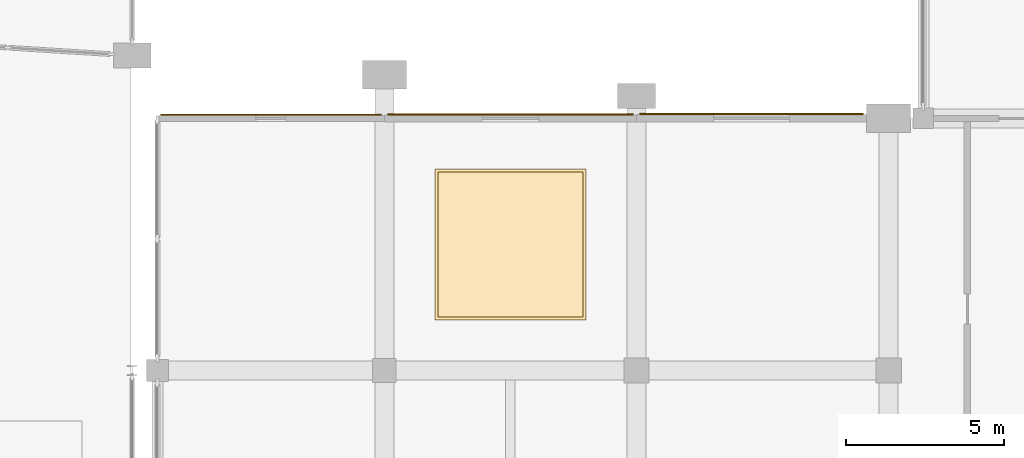
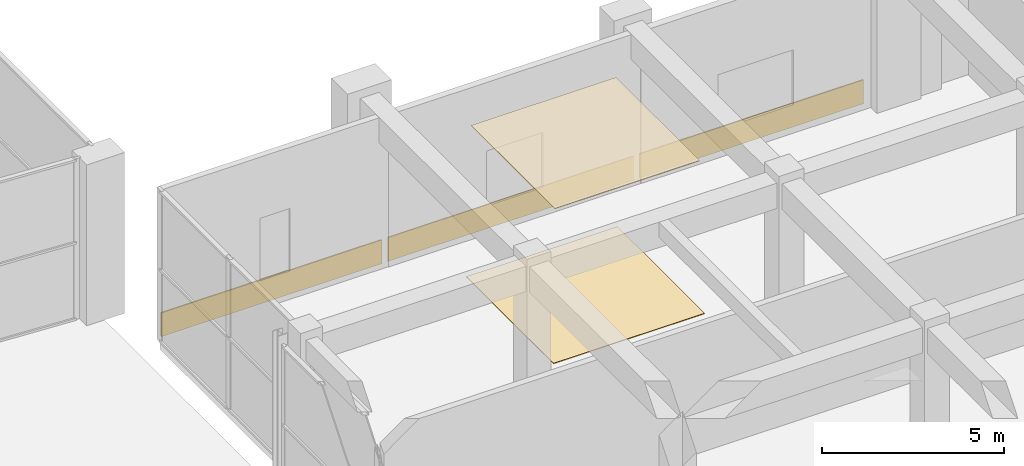
# One storey, part 83 of 86: 5 coverings.
"""IFC4 building model written with IfcOpenShell, lengths in metres."""

from ifc_helpers import new_model, si_unit, direction, frame, origin, origin_2d, place, context, subcontext, project, spatial, rectangle, extrude, material, layer, layer_set, type_object, element, save


model = new_model("IFC4")

# Units and contexts
model_context = context("Model", 3, precision=1e-05, world=origin(), true_north=direction((0.0, 1.0)))
body_context = subcontext(model_context, "Body", "Model", "MODEL_VIEW")
ifc_project = project(units=[si_unit("LENGTHUNIT", "METRE"), si_unit("AREAUNIT", "SQUARE_METRE"), si_unit("VOLUMEUNIT", "CUBIC_METRE"), si_unit("PLANEANGLEUNIT", "RADIAN"), si_unit("MASSUNIT", "GRAM", prefix="KILO")], contexts=[model_context])

# Site, building, storey
site_placement = place(None, origin())
site = spatial("IfcSite", under=ifc_project, at=site_placement, CompositionType="ELEMENT")
building_placement = place(site_placement, origin())
building = spatial("IfcBuilding", under=site, at=building_placement, Name="Kenh Van Central Station", CompositionType="ELEMENT")
storey_placement = place(building_placement, origin())
storey = spatial("IfcBuildingStorey", under=building, at=storey_placement, Name="L00", CompositionType="ELEMENT", Elevation=0.0)

# Coverings
ifc_material_1 = material(Name="Perforated acoustic mineral ceiling board")
ifc_layer_1 = layer(ifc_material_1, 0.02490234375, Name="Perforated acoustic mineral ceiling board")
ifc_layer_set_1 = layer_set([ifc_layer_1], Name="Perforated acoustic mineral ceiling board")
covering_type_1 = type_object("IfcCoveringType", Name="COV-CEIL-ACOUST", PredefinedType="CEILING", material=ifc_layer_set_1)
covering_1_placement = place(storey_placement, frame((132.0, 60.0, 5.09716796875), z_axis=(0.0, 0.0, 1.0), x_axis=(1.0, 0.0, 0.0)))
element("IfcCovering", 1, at=covering_1_placement, inside=storey, type_object=covering_type_1, Name="L00 acoustic ceiling panel 029", PredefinedType="CEILING", context=body_context, shape_type="SweptSolid", body=[
    extrude(rectangle(XDim=4.60009765625, YDim=4.60009765625, at=origin_2d()), origin(), (0.0, 0.0, 1.0), 0.02490234375),
])
ifc_material_2 = material(Name="Saigon buff sandstone cladding", Category="masonry")
ifc_layer_2 = layer(ifc_material_2, 0.0400390625, Name="Saigon buff sandstone cladding")
ifc_layer_set_2 = layer_set([ifc_layer_2], Name="Saigon buff sandstone cladding")
covering_type_2 = type_object("IfcCoveringType", Name="COV-CLAD-BUFF", PredefinedType="CLADDING", material=ifc_layer_set_2)
covering_2_placement = place(storey_placement, frame((139.64990234375, 64.135009765625, 0.02001953125), z_axis=(0.0, 0.0, 1.0), x_axis=(-1.0, 0.0, 0.0)))
element("IfcCovering", 2, at=covering_2_placement, inside=storey, type_object=covering_type_2, Name="L00 facade cladding 017", PredefinedType="CLADDING", context=body_context, shape_type="SweptSolid", body=[
    extrude(rectangle(XDim=7.10009765625, YDim=0.0400390625, at=origin_2d()), origin(), (0.0, 0.0, 1.0), 0.800048828125),
])
covering_3_placement = place(storey_placement, frame((124.39990234375, 64.112548828125, 0.02001953125), z_axis=(0.0, 0.0, 1.0), x_axis=(-1.0, 0.0, 0.0)))
element("IfcCovering", 3, at=covering_3_placement, inside=storey, type_object=covering_type_2, Name="L00 facade cladding 019", PredefinedType="CLADDING", context=body_context, shape_type="SweptSolid", body=[
    extrude(rectangle(XDim=7.0, YDim=0.0400390625, at=origin_2d()), origin(), (0.0, 0.0, 1.0), 0.800048828125),
])
ifc_material_3 = material(Name="Glazed terracotta rainscreen cladding", Category="masonry")
ifc_layer_3 = layer(ifc_material_3, 0.034912109375, Name="Glazed terracotta rainscreen cladding")
ifc_layer_set_3 = layer_set([ifc_layer_3], Name="Glazed terracotta rainscreen cladding")
covering_type_3 = type_object("IfcCoveringType", Name="COV-CLAD-TERRA", PredefinedType="CLADDING", material=ifc_layer_set_3)
covering_4_placement = place(storey_placement, frame((132.0, 64.12255859375, 0.02001953125), z_axis=(0.0, 0.0, 1.0), x_axis=(-1.0, 0.0, 0.0)))
element("IfcCovering", 4, at=covering_4_placement, inside=storey, type_object=covering_type_3, Name="L00 facade cladding 018", PredefinedType="CLADDING", context=body_context, shape_type="SweptSolid", body=[
    extrude(rectangle(XDim=7.800048828125, YDim=0.034912109375, at=origin_2d()), origin(), (0.0, 0.0, 1.0), 0.800048828125),
])
ifc_material_4 = material(Name="Polished station granite terrazzo", Category="masonry")
ifc_layer_4 = layer(ifc_material_4, 0.02001953125, Name="Polished station granite terrazzo")
ifc_layer_set_4 = layer_set([ifc_layer_4], Name="Polished station granite terrazzo")
covering_type_4 = type_object("IfcCoveringType", Name="COV-FLR-GRANITE", PredefinedType="FLOORING", material=ifc_layer_set_4)
covering_5_placement = place(storey_placement, frame((132.0, 60.0, 0.0), z_axis=(0.0, 0.0, 1.0), x_axis=(1.0, 0.0, 0.0)))
element("IfcCovering", 5, at=covering_5_placement, inside=storey, type_object=covering_type_4, Name="L00 granite floor finish 037", PredefinedType="FLOORING", context=body_context, shape_type="SweptSolid", body=[
    extrude(rectangle(XDim=4.800048828125, YDim=4.800048828125, at=origin_2d()), origin(), (0.0, 0.0, 1.0), 0.02001953125),
])

save(model, "model.ifc")
